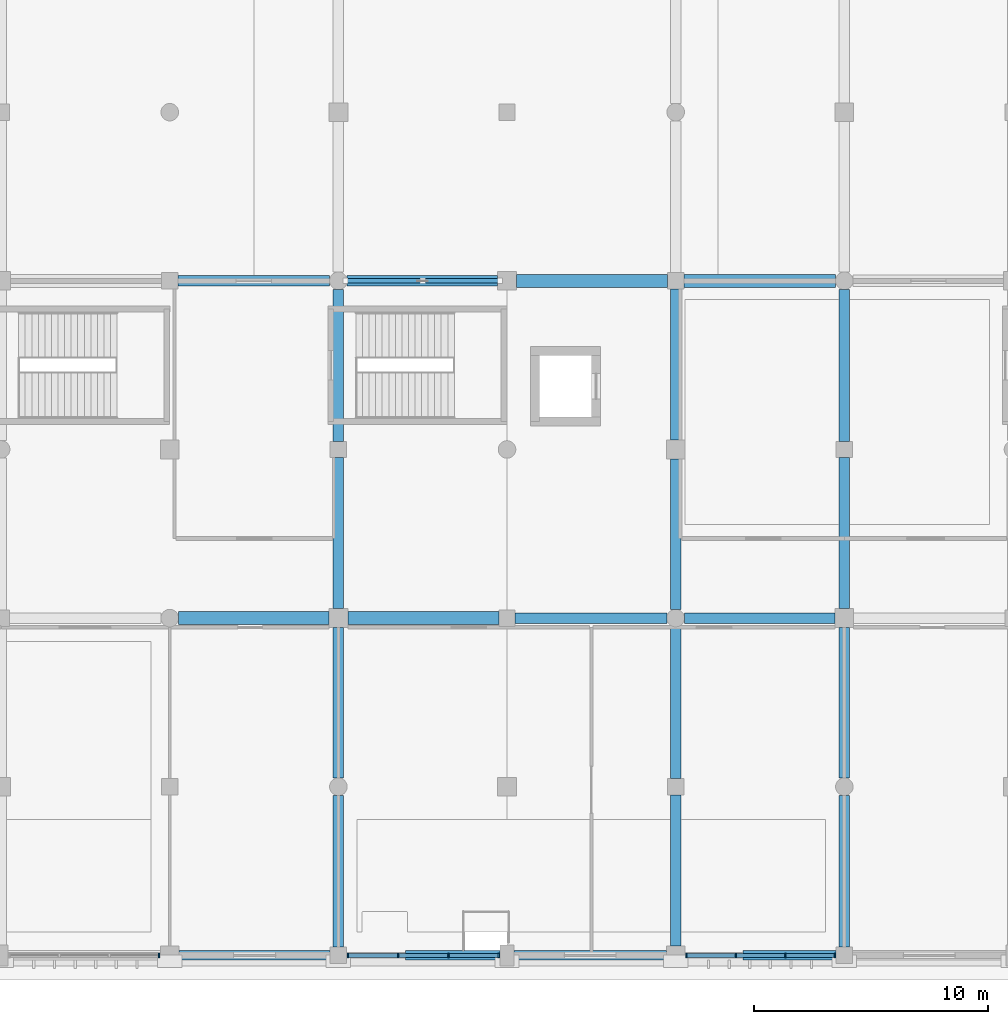
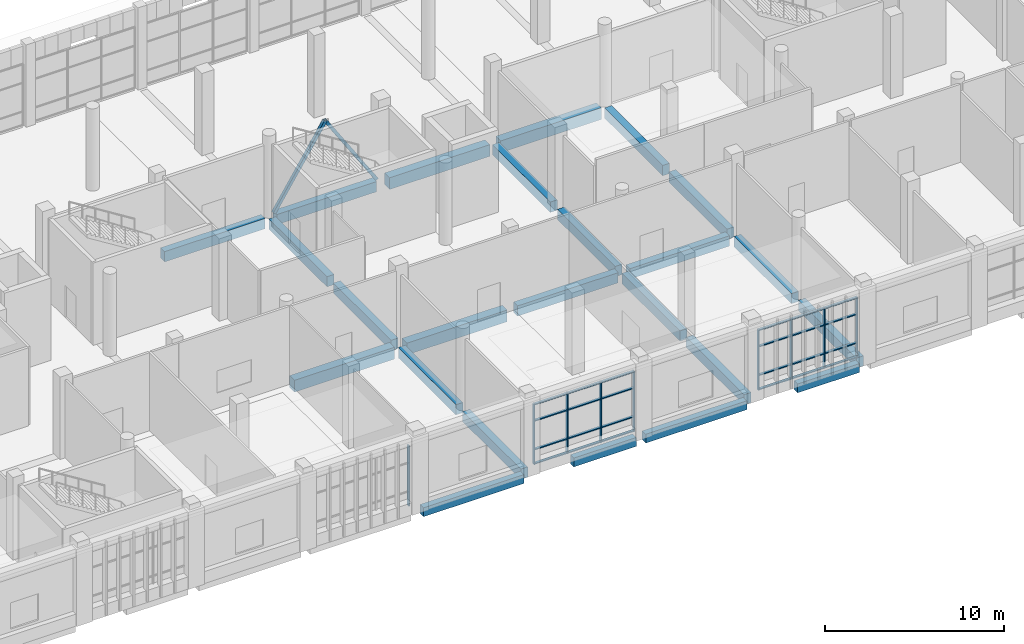
# One storey, part 15 of 80: 35 members, 24 beams, 3 elements without a shape of their own.
"""IFC4 building model written with IfcOpenShell, lengths in metres."""

from ifc_helpers import new_model, si_unit, direction, frame, origin, origin_2d, place, context, subcontext, project, spatial, rectangle, hollow_rectangle, extrude, material, material_profile, profile_set, type_object, element, aggregate, save


model = new_model("IFC4")

# Units and contexts
model_context = context("Model", 3, precision=1e-05, world=origin(), true_north=direction((0.0, 1.0)))
body_context = subcontext(model_context, "Body", "Model", "MODEL_VIEW")
ifc_project = project(units=[si_unit("LENGTHUNIT", "METRE"), si_unit("AREAUNIT", "SQUARE_METRE"), si_unit("VOLUMEUNIT", "CUBIC_METRE"), si_unit("PLANEANGLEUNIT", "RADIAN"), si_unit("MASSUNIT", "GRAM", prefix="KILO")], contexts=[model_context])

# Site, building, storey
site_placement = place(None, origin())
site = spatial("IfcSite", under=ifc_project, at=site_placement, CompositionType="ELEMENT")
building_placement = place(site_placement, origin())
building = spatial("IfcBuilding", under=site, at=building_placement, Name="Sardonyx Promenade Sports Hall", CompositionType="ELEMENT")
storey_placement = place(building_placement, frame((0.0, 0.0, 5.60009765625)))
storey = spatial("IfcBuildingStorey", under=building, at=storey_placement, Name="L01", CompositionType="ELEMENT", Elevation=5.60009765625)

# Beams
ifc_material_1 = material(Name="Concrete C40/50", Category="concrete")
ifc_material_profile_1 = material_profile(ifc_material_1, rectangle(XDim=0.550048828125, YDim=0.800048828125, at=origin_2d()))
ifc_profile_set_1 = profile_set([ifc_material_profile_1], Name="Concrete C40/50")
beam_type_1 = type_object("IfcBeamType", Name="Bm_Girder_RC800", PredefinedType="BEAM", material=ifc_profile_set_1)
beam_1_placement = place(storey_placement, frame((65.175048828125, 14.39990234375, -0.400146484375), z_axis=(1.0, 0.0, 0.0), x_axis=(0.0, 1.0, 0.0)))
element("IfcBeam", 1, at=beam_1_placement, inside=storey, type_object=beam_type_1, Name="Beam BG04 L01 #194", PredefinedType="BEAM", context=body_context, shape_type="SweptSolid", body=[
    extrude(rectangle(XDim=0.550048828125, YDim=0.800048828125, at=origin_2d()), origin(), (0.0, 0.0, 1.0), 6.425048828125),
])
beam_2_placement = place(storey_placement, frame((72.39990234375, 14.39990234375, -0.400146484375), z_axis=(1.0, 0.0, 0.0), x_axis=(0.0, 1.0, 0.0)))
element("IfcBeam", 2, at=beam_2_placement, inside=storey, type_object=beam_type_1, Name="Beam BG04 L01 #195", PredefinedType="BEAM", context=body_context, shape_type="SweptSolid", body=[
    extrude(rectangle(XDim=0.550048828125, YDim=0.800048828125, at=origin_2d()), origin(), (0.0, 0.0, 1.0), 6.4501953125),
])
beam_3_placement = place(storey_placement, frame((79.60009765625, 28.800048828125, -0.400146484375), z_axis=(1.0, 0.0, 0.0), x_axis=(0.0, 1.0, 0.0)))
element("IfcBeam", 3, at=beam_3_placement, inside=storey, type_object=beam_type_1, Name="Beam BG04 L01 #219", PredefinedType="BEAM", context=body_context, shape_type="SweptSolid", body=[
    extrude(rectangle(XDim=0.550048828125, YDim=0.800048828125, at=origin_2d()), origin(), (0.0, 0.0, 1.0), 6.449951171875),
])
beam_4_placement = place(storey_placement, frame((86.75, 28.800048828125, -0.400146484375), z_axis=(1.0, 0.0, 0.0), x_axis=(0.0, 1.0, 0.0)))
element("IfcBeam", 4, at=beam_4_placement, inside=storey, type_object=beam_type_1, Name="Beam BG04 L01 #220", PredefinedType="BEAM", context=body_context, shape_type="SweptSolid", body=[
    extrude(rectangle(XDim=0.550048828125, YDim=0.800048828125, at=origin_2d()), origin(), (0.0, 0.0, 1.0), 6.47509765625),
])
ifc_material_2 = material(Name="Concrete C40/50", Category="concrete")
ifc_material_profile_2 = material_profile(ifc_material_2, rectangle(XDim=0.449951171875, YDim=0.699951171875, at=origin_2d()))
ifc_profile_set_2 = profile_set([ifc_material_profile_2], Name="Concrete C40/50")
beam_type_2 = type_object("IfcBeamType", Name="Bm_Primary_RC700", PredefinedType="BEAM", material=ifc_profile_set_2)
beam_5_placement = place(storey_placement, frame((79.550048828125, 14.39990234375, -0.35009765625), z_axis=(1.0, 0.0, 0.0), x_axis=(0.0, 1.0, 0.0)))
element("IfcBeam", 5, at=beam_5_placement, inside=storey, type_object=beam_type_2, Name="Beam BG01 L01 #196", PredefinedType="BEAM", context=body_context, shape_type="SweptSolid", body=[
    extrude(rectangle(XDim=0.449951171875, YDim=0.699951171875, at=origin_2d()), origin(), (0.0, 0.0, 1.0), 6.474853515625),
])
beam_6_placement = place(storey_placement, frame((86.77490234375, 14.39990234375, -0.35009765625), z_axis=(1.0, 0.0, 0.0), x_axis=(0.0, 1.0, 0.0)))
element("IfcBeam", 6, at=beam_6_placement, inside=storey, type_object=beam_type_2, Name="Beam BG01 L01 #197", PredefinedType="BEAM", context=body_context, shape_type="SweptSolid", body=[
    extrude(rectangle(XDim=0.449951171875, YDim=0.699951171875, at=origin_2d()), origin(), (0.0, 0.0, 1.0), 6.425048828125),
])
beam_7_placement = place(storey_placement, frame((65.14990234375, 28.800048828125, -0.35009765625), z_axis=(1.0, 0.0, 0.0), x_axis=(0.0, 1.0, 0.0)))
element("IfcBeam", 7, at=beam_7_placement, inside=storey, type_object=beam_type_2, Name="Beam BG01 L01 #217", PredefinedType="BEAM", context=body_context, shape_type="SweptSolid", body=[
    extrude(rectangle(XDim=0.449951171875, YDim=0.699951171875, at=origin_2d()), origin(), (0.0, 0.0, 1.0), 6.47509765625),
])
beam_8_placement = place(storey_placement, frame((72.375, 28.800048828125, -0.35009765625), z_axis=(1.0, 0.0, 0.0), x_axis=(0.0, 1.0, 0.0)))
element("IfcBeam", 8, at=beam_8_placement, inside=storey, type_object=beam_type_2, Name="Beam BG01 L01 #218", PredefinedType="BEAM", context=body_context, shape_type="SweptSolid", body=[
    extrude(rectangle(XDim=0.449951171875, YDim=0.699951171875, at=origin_2d()), origin(), (0.0, 0.0, 1.0), 6.425048828125),
])
beam_9_placement = place(storey_placement, frame((72.0, 0.35009765625, -0.35009765625), z_axis=(0.0, 1.0, 0.0), x_axis=(-1.0, 0.0, 0.0)))
element("IfcBeam", 9, at=beam_9_placement, inside=storey, type_object=beam_type_2, Name="Beam BG01 L01 #339", PredefinedType="BEAM", context=body_context, shape_type="SweptSolid", body=[
    extrude(rectangle(XDim=0.449951171875, YDim=0.699951171875, at=origin_2d()), origin(), (0.0, 0.0, 1.0), 6.474853515625),
])
beam_10_placement = place(storey_placement, frame((72.0, 7.574951171875, -0.35009765625), z_axis=(0.0, 1.0, 0.0), x_axis=(-1.0, 0.0, 0.0)))
element("IfcBeam", 10, at=beam_10_placement, inside=storey, type_object=beam_type_2, Name="Beam BG01 L01 #340", PredefinedType="BEAM", context=body_context, shape_type="SweptSolid", body=[
    extrude(rectangle(XDim=0.449951171875, YDim=0.699951171875, at=origin_2d()), origin(), (0.0, 0.0, 1.0), 6.425048828125),
])
beam_11_placement = place(storey_placement, frame((72.0, 14.800048828125, -0.35009765625), z_axis=(0.0, 1.0, 0.0), x_axis=(-1.0, 0.0, 0.0)))
element("IfcBeam", 11, at=beam_11_placement, inside=storey, type_object=beam_type_2, Name="Beam BG01 L01 #341", PredefinedType="BEAM", context=body_context, shape_type="SweptSolid", body=[
    extrude(rectangle(XDim=0.449951171875, YDim=0.699951171875, at=origin_2d()), origin(), (0.0, 0.0, 1.0), 6.449951171875),
])
beam_12_placement = place(storey_placement, frame((72.0, 21.949951171875, -0.35009765625), z_axis=(0.0, 1.0, 0.0), x_axis=(-1.0, 0.0, 0.0)))
element("IfcBeam", 12, at=beam_12_placement, inside=storey, type_object=beam_type_2, Name="Beam BG01 L01 #342", PredefinedType="BEAM", context=body_context, shape_type="SweptSolid", body=[
    extrude(rectangle(XDim=0.449951171875, YDim=0.699951171875, at=origin_2d()), origin(), (0.0, 0.0, 1.0), 6.47509765625),
])
beam_13_placement = place(storey_placement, frame((86.39990234375, 0.39990234375, -0.35009765625), z_axis=(0.0, 1.0, 0.0), x_axis=(-1.0, 0.0, 0.0)))
element("IfcBeam", 13, at=beam_13_placement, inside=storey, type_object=beam_type_2, Name="Beam BG01 L01 #351", PredefinedType="BEAM", context=body_context, shape_type="SweptSolid", body=[
    extrude(rectangle(XDim=0.449951171875, YDim=0.699951171875, at=origin_2d()), origin(), (0.0, 0.0, 1.0), 6.4501953125),
])
beam_14_placement = place(storey_placement, frame((86.39990234375, 7.550048828125, -0.35009765625), z_axis=(0.0, 1.0, 0.0), x_axis=(-1.0, 0.0, 0.0)))
element("IfcBeam", 14, at=beam_14_placement, inside=storey, type_object=beam_type_2, Name="Beam BG01 L01 #352", PredefinedType="BEAM", context=body_context, shape_type="SweptSolid", body=[
    extrude(rectangle(XDim=0.449951171875, YDim=0.699951171875, at=origin_2d()), origin(), (0.0, 0.0, 1.0), 6.474853515625),
])
beam_15_placement = place(storey_placement, frame((86.39990234375, 14.77490234375, -0.35009765625), z_axis=(0.0, 1.0, 0.0), x_axis=(-1.0, 0.0, 0.0)))
element("IfcBeam", 15, at=beam_15_placement, inside=storey, type_object=beam_type_2, Name="Beam BG01 L01 #353", PredefinedType="BEAM", context=body_context, shape_type="SweptSolid", body=[
    extrude(rectangle(XDim=0.449951171875, YDim=0.699951171875, at=origin_2d()), origin(), (0.0, 0.0, 1.0), 6.425048828125),
])
beam_16_placement = place(storey_placement, frame((86.39990234375, 22.0, -0.35009765625), z_axis=(0.0, 1.0, 0.0), x_axis=(-1.0, 0.0, 0.0)))
element("IfcBeam", 16, at=beam_16_placement, inside=storey, type_object=beam_type_2, Name="Beam BG01 L01 #354", PredefinedType="BEAM", context=body_context, shape_type="SweptSolid", body=[
    extrude(rectangle(XDim=0.449951171875, YDim=0.699951171875, at=origin_2d()), origin(), (0.0, 0.0, 1.0), 6.449951171875),
])
beam_17_placement = place(storey_placement, frame((93.60009765625, 0.35009765625, -0.35009765625), z_axis=(0.0, 1.0, 0.0), x_axis=(-1.0, 0.0, 0.0)))
element("IfcBeam", 17, at=beam_17_placement, inside=storey, type_object=beam_type_2, Name="Beam BG01 L01 #358", PredefinedType="BEAM", context=body_context, shape_type="SweptSolid", body=[
    extrude(rectangle(XDim=0.449951171875, YDim=0.699951171875, at=origin_2d()), origin(), (0.0, 0.0, 1.0), 6.474853515625),
])
beam_18_placement = place(storey_placement, frame((93.60009765625, 7.574951171875, -0.35009765625), z_axis=(0.0, 1.0, 0.0), x_axis=(-1.0, 0.0, 0.0)))
element("IfcBeam", 18, at=beam_18_placement, inside=storey, type_object=beam_type_2, Name="Beam BG01 L01 #359", PredefinedType="BEAM", context=body_context, shape_type="SweptSolid", body=[
    extrude(rectangle(XDim=0.449951171875, YDim=0.699951171875, at=origin_2d()), origin(), (0.0, 0.0, 1.0), 6.425048828125),
])
beam_19_placement = place(storey_placement, frame((93.60009765625, 14.800048828125, -0.35009765625), z_axis=(0.0, 1.0, 0.0), x_axis=(-1.0, 0.0, 0.0)))
element("IfcBeam", 19, at=beam_19_placement, inside=storey, type_object=beam_type_2, Name="Beam BG01 L01 #360", PredefinedType="BEAM", context=body_context, shape_type="SweptSolid", body=[
    extrude(rectangle(XDim=0.449951171875, YDim=0.699951171875, at=origin_2d()), origin(), (0.0, 0.0, 1.0), 6.449951171875),
])
beam_20_placement = place(storey_placement, frame((93.60009765625, 21.949951171875, -0.35009765625), z_axis=(0.0, 1.0, 0.0), x_axis=(-1.0, 0.0, 0.0)))
element("IfcBeam", 20, at=beam_20_placement, inside=storey, type_object=beam_type_2, Name="Beam BG01 L01 #361", PredefinedType="BEAM", context=body_context, shape_type="SweptSolid", body=[
    extrude(rectangle(XDim=0.449951171875, YDim=0.699951171875, at=origin_2d()), origin(), (0.0, 0.0, 1.0), 6.47509765625),
])
ifc_material_3 = material(Name="Concrete C40/50", Category="concrete")
ifc_material_profile_3 = material_profile(ifc_material_3, rectangle(XDim=0.39990234375, YDim=0.60009765625, at=origin_2d()))
ifc_profile_set_3 = profile_set([ifc_material_profile_3], Name="Concrete C40/50")
beam_type_3 = type_object("IfcBeamType", Name="Bm_Spandrel_RC600", PredefinedType="SPANDREL", material=ifc_profile_set_3)
beam_21_placement = place(storey_placement, frame((65.199951171875, 0.0, -0.300048828125), z_axis=(1.0, 0.0, 0.0), x_axis=(0.0, 1.0, 0.0)))
element("IfcBeam", 21, at=beam_21_placement, inside=storey, type_object=beam_type_3, Name="Beam SPB1 L01 #171", PredefinedType="SPANDREL", context=body_context, shape_type="SweptSolid", body=[
    extrude(rectangle(XDim=0.39990234375, YDim=0.60009765625, at=origin_2d()), origin(), (0.0, 0.0, 1.0), 6.449951171875),
])
beam_22_placement = place(storey_placement, frame((74.875, 0.0, -0.300048828125), z_axis=(1.0, 0.0, 0.0), x_axis=(0.0, 1.0, 0.0)))
element("IfcBeam", 22, at=beam_22_placement, inside=storey, type_object=beam_type_3, Name="Beam SPB1 L01 #172", PredefinedType="SPANDREL", context=body_context, shape_type="SweptSolid", body=[
    extrude(rectangle(XDim=0.39990234375, YDim=0.60009765625, at=origin_2d()), origin(), (0.0, 0.0, 1.0), 4.02490234375),
])
beam_23_placement = place(storey_placement, frame((79.5, 0.0, -0.300048828125), z_axis=(1.0, 0.0, 0.0), x_axis=(0.0, 1.0, 0.0)))
element("IfcBeam", 23, at=beam_23_placement, inside=storey, type_object=beam_type_3, Name="Beam SPB1 L01 #173", PredefinedType="SPANDREL", context=body_context, shape_type="SweptSolid", body=[
    extrude(rectangle(XDim=0.39990234375, YDim=0.60009765625, at=origin_2d()), origin(), (0.0, 0.0, 1.0), 6.5),
])
beam_24_placement = place(storey_placement, frame((89.27490234375, 0.0, -0.300048828125), z_axis=(1.0, 0.0, 0.0), x_axis=(0.0, 1.0, 0.0)))
element("IfcBeam", 24, at=beam_24_placement, inside=storey, type_object=beam_type_3, Name="Beam SPB1 L01 #174", PredefinedType="SPANDREL", context=body_context, shape_type="SweptSolid", body=[
    extrude(rectangle(XDim=0.39990234375, YDim=0.60009765625, at=origin_2d()), origin(), (0.0, 0.0, 1.0), 3.97509765625),
])

# Curtain wall, members
ifc_material_4 = material(Name="Aluminium 6063-T6", Category="aluminium")
curtain_wall_type = type_object("IfcCurtainWallType", Name="CW_South_L01_640", PredefinedType="USERDEFINED", material=ifc_material_4)
curtain_wall_1_placement = place(storey_placement, origin())
curtain_wall_1 = element("IfcCurtainWall", 25, at=curtain_wall_1_placement, inside=storey, type_object=curtain_wall_type, Name="Curtain wall CW08 cw:L01:022", ObjectType="CURTAIN WALL", PredefinedType="USERDEFINED")
ifc_material_5 = material(Name="Aluminium 6063-T6", Category="aluminium")
ifc_material_profile_4 = material_profile(ifc_material_5, rectangle(XDim=0.070068359375, YDim=0.199951171875, at=origin_2d()))
ifc_profile_set_4 = profile_set([ifc_material_profile_4], Name="Aluminium 6063-T6")
member_type_1 = type_object("IfcMemberType", Name="CW_Mull_200", PredefinedType="MULLION", material=ifc_profile_set_4)
member_1_placement = place(storey_placement, frame((93.195068359375, 0.0, 0.349853515625), z_axis=(0.0, 0.0, 1.0), x_axis=(-1.0, 0.0, 0.0)))
member_1 = element("IfcMember", 26, at=member_1_placement, type_object=member_type_1, Name="Mullion CM03 cw:L01:022 #1", PredefinedType="MULLION", context=body_context, shape_type="SweptSolid", body=[
    extrude(rectangle(XDim=0.070068359375, YDim=0.199951171875, at=origin_2d()), origin(), (0.0, 0.0, 1.0), 4.10009765625),
])
member_2_placement = place(storey_placement, frame((91.081787109375, 0.0, 0.349853515625), z_axis=(0.0, 0.0, 1.0), x_axis=(-1.0, 0.0, 0.0)))
member_2 = element("IfcMember", 27, at=member_2_placement, type_object=member_type_1, Name="Mullion CM03 cw:L01:022 #2", PredefinedType="MULLION", context=body_context, shape_type="SweptSolid", body=[
    extrude(rectangle(XDim=0.070068359375, YDim=0.199951171875, at=origin_2d()), origin(), (0.0, 0.0, 1.0), 4.10009765625),
])
member_3_placement = place(storey_placement, frame((88.96826171875, 0.0, 0.349853515625), z_axis=(0.0, 0.0, 1.0), x_axis=(-1.0, 0.0, 0.0)))
member_3 = element("IfcMember", 28, at=member_3_placement, type_object=member_type_1, Name="Mullion CM03 cw:L01:022 #3", PredefinedType="MULLION", context=body_context, shape_type="SweptSolid", body=[
    extrude(rectangle(XDim=0.070068359375, YDim=0.199951171875, at=origin_2d()), origin(), (0.0, 0.0, 1.0), 4.10009765625),
])
member_4_placement = place(storey_placement, frame((86.85498046875, 0.0, 0.349853515625), z_axis=(0.0, 0.0, 1.0), x_axis=(-1.0, 0.0, 0.0)))
member_4 = element("IfcMember", 29, at=member_4_placement, type_object=member_type_1, Name="Mullion CM03 cw:L01:022 #4", PredefinedType="MULLION", context=body_context, shape_type="SweptSolid", body=[
    extrude(rectangle(XDim=0.070068359375, YDim=0.199951171875, at=origin_2d()), origin(), (0.0, 0.0, 1.0), 4.10009765625),
])

curtain_wall_2_placement = place(storey_placement, origin())
curtain_wall_2 = element("IfcCurtainWall", 30, at=curtain_wall_2_placement, inside=storey, type_object=curtain_wall_type, Name="Curtain wall CW08 cw:L01:023", ObjectType="CURTAIN WALL", PredefinedType="USERDEFINED")
member_5_placement = place(storey_placement, frame((78.844970703125, 0.0, 0.349853515625), z_axis=(0.0, 0.0, 1.0), x_axis=(-1.0, 0.0, 0.0)))
member_5 = element("IfcMember", 31, at=member_5_placement, type_object=member_type_1, Name="Mullion CM03 cw:L01:023 #1", PredefinedType="MULLION", context=body_context, shape_type="SweptSolid", body=[
    extrude(rectangle(XDim=0.070068359375, YDim=0.199951171875, at=origin_2d()), origin(), (0.0, 0.0, 1.0), 4.10009765625),
])
member_6_placement = place(storey_placement, frame((76.6982421875, 0.0, 0.349853515625), z_axis=(0.0, 0.0, 1.0), x_axis=(-1.0, 0.0, 0.0)))
member_6 = element("IfcMember", 32, at=member_6_placement, type_object=member_type_1, Name="Mullion CM03 cw:L01:023 #2", PredefinedType="MULLION", context=body_context, shape_type="SweptSolid", body=[
    extrude(rectangle(XDim=0.070068359375, YDim=0.199951171875, at=origin_2d()), origin(), (0.0, 0.0, 1.0), 4.10009765625),
])
member_7_placement = place(storey_placement, frame((74.5517578125, 0.0, 0.349853515625), z_axis=(0.0, 0.0, 1.0), x_axis=(-1.0, 0.0, 0.0)))
member_7 = element("IfcMember", 33, at=member_7_placement, type_object=member_type_1, Name="Mullion CM03 cw:L01:023 #3", PredefinedType="MULLION", context=body_context, shape_type="SweptSolid", body=[
    extrude(rectangle(XDim=0.070068359375, YDim=0.199951171875, at=origin_2d()), origin(), (0.0, 0.0, 1.0), 4.10009765625),
])
member_8_placement = place(storey_placement, frame((72.405029296875, 0.0, 0.349853515625), z_axis=(0.0, 0.0, 1.0), x_axis=(-1.0, 0.0, 0.0)))
member_8 = element("IfcMember", 34, at=member_8_placement, type_object=member_type_1, Name="Mullion CM03 cw:L01:023 #4", PredefinedType="MULLION", context=body_context, shape_type="SweptSolid", body=[
    extrude(rectangle(XDim=0.070068359375, YDim=0.199951171875, at=origin_2d()), origin(), (0.0, 0.0, 1.0), 4.10009765625),
])

# Curtain wall, member
curtain_wall_3_placement = place(storey_placement, origin())
curtain_wall_3 = element("IfcCurtainWall", 35, at=curtain_wall_3_placement, inside=storey, type_object=curtain_wall_type, Name="Curtain wall CW08 cw:L01:024", ObjectType="CURTAIN WALL", PredefinedType="USERDEFINED")
member_9_placement = place(storey_placement, frame((64.344970703125, 0.0, 0.349853515625), z_axis=(0.0, 0.0, 1.0), x_axis=(-1.0, 0.0, 0.0)))
member_9 = element("IfcMember", 36, at=member_9_placement, type_object=member_type_1, Name="Mullion CM03 cw:L01:024 #1", PredefinedType="MULLION", context=body_context, shape_type="SweptSolid", body=[
    extrude(rectangle(XDim=0.070068359375, YDim=0.199951171875, at=origin_2d()), origin(), (0.0, 0.0, 1.0), 4.10009765625),
])
aggregate(curtain_wall_3, [member_9])

# Member
ifc_material_6 = material(Name="Aluminium 6063-T6", Category="aluminium")
ifc_material_profile_5 = material_profile(ifc_material_6, rectangle(XDim=0.070068359375, YDim=0.159912109375, at=origin_2d()))
ifc_profile_set_5 = profile_set([ifc_material_profile_5], Name="Aluminium 6063-T6")
member_type_2 = type_object("IfcMemberType", Name="CW_Tran_160", PredefinedType="USERDEFINED", material=ifc_profile_set_5)
member_10_placement = place(storey_placement, frame((93.159912109375, 0.0, 0.385009765625), z_axis=(-1.0, 0.0, 0.0), x_axis=(0.0, 0.0, 1.0)))
member_10 = element("IfcMember", 37, at=member_10_placement, type_object=member_type_2, Name="Transom CT03 cw:L01:022 #1", ObjectType="TRANSOM", PredefinedType="USERDEFINED", context=body_context, shape_type="SweptSolid", body=[
    extrude(rectangle(XDim=0.070068359375, YDim=0.159912109375, at=origin_2d()), origin(), (0.0, 0.0, 1.0), 2.043212890625),
])

member_11_placement = place(storey_placement, frame((93.159912109375, 0.0, 1.349853515625), z_axis=(-1.0, 0.0, 0.0), x_axis=(0.0, 0.0, 1.0)))
member_11 = element("IfcMember", 38, at=member_11_placement, type_object=member_type_2, Name="Transom CT03 cw:L01:022 #2", ObjectType="TRANSOM", PredefinedType="USERDEFINED", context=body_context, shape_type="SweptSolid", body=[
    extrude(rectangle(XDim=0.070068359375, YDim=0.159912109375, at=origin_2d()), origin(), (0.0, 0.0, 1.0), 2.043212890625),
])

member_12_placement = place(storey_placement, frame((93.159912109375, 0.0, 3.2998046875), z_axis=(-1.0, 0.0, 0.0), x_axis=(0.0, 0.0, 1.0)))
member_12 = element("IfcMember", 39, at=member_12_placement, type_object=member_type_2, Name="Transom CT03 cw:L01:022 #3", ObjectType="TRANSOM", PredefinedType="USERDEFINED", context=body_context, shape_type="SweptSolid", body=[
    extrude(rectangle(XDim=0.070068359375, YDim=0.159912109375, at=origin_2d()), origin(), (0.0, 0.0, 1.0), 2.043212890625),
])

member_13_placement = place(storey_placement, frame((93.159912109375, 0.0, 4.414794921875), z_axis=(-1.0, 0.0, 0.0), x_axis=(0.0, 0.0, 1.0)))
member_13 = element("IfcMember", 40, at=member_13_placement, type_object=member_type_2, Name="Transom CT03 cw:L01:022 #4", ObjectType="TRANSOM", PredefinedType="USERDEFINED", context=body_context, shape_type="SweptSolid", body=[
    extrude(rectangle(XDim=0.070068359375, YDim=0.159912109375, at=origin_2d()), origin(), (0.0, 0.0, 1.0), 2.043212890625),
])

member_14_placement = place(storey_placement, frame((91.046630859375, 0.0, 0.385009765625), z_axis=(-1.0, 0.0, 0.0), x_axis=(0.0, 0.0, 1.0)))
member_14 = element("IfcMember", 41, at=member_14_placement, type_object=member_type_2, Name="Transom CT03 cw:L01:022 #5", ObjectType="TRANSOM", PredefinedType="USERDEFINED", context=body_context, shape_type="SweptSolid", body=[
    extrude(rectangle(XDim=0.070068359375, YDim=0.159912109375, at=origin_2d()), origin(), (0.0, 0.0, 1.0), 2.043212890625),
])

member_15_placement = place(storey_placement, frame((91.046630859375, 0.0, 1.349853515625), z_axis=(-1.0, 0.0, 0.0), x_axis=(0.0, 0.0, 1.0)))
member_15 = element("IfcMember", 42, at=member_15_placement, type_object=member_type_2, Name="Transom CT03 cw:L01:022 #6", ObjectType="TRANSOM", PredefinedType="USERDEFINED", context=body_context, shape_type="SweptSolid", body=[
    extrude(rectangle(XDim=0.070068359375, YDim=0.159912109375, at=origin_2d()), origin(), (0.0, 0.0, 1.0), 2.043212890625),
])

member_16_placement = place(storey_placement, frame((91.046630859375, 0.0, 3.2998046875), z_axis=(-1.0, 0.0, 0.0), x_axis=(0.0, 0.0, 1.0)))
member_16 = element("IfcMember", 43, at=member_16_placement, type_object=member_type_2, Name="Transom CT03 cw:L01:022 #7", ObjectType="TRANSOM", PredefinedType="USERDEFINED", context=body_context, shape_type="SweptSolid", body=[
    extrude(rectangle(XDim=0.070068359375, YDim=0.159912109375, at=origin_2d()), origin(), (0.0, 0.0, 1.0), 2.043212890625),
])

member_17_placement = place(storey_placement, frame((91.046630859375, 0.0, 4.414794921875), z_axis=(-1.0, 0.0, 0.0), x_axis=(0.0, 0.0, 1.0)))
member_17 = element("IfcMember", 44, at=member_17_placement, type_object=member_type_2, Name="Transom CT03 cw:L01:022 #8", ObjectType="TRANSOM", PredefinedType="USERDEFINED", context=body_context, shape_type="SweptSolid", body=[
    extrude(rectangle(XDim=0.070068359375, YDim=0.159912109375, at=origin_2d()), origin(), (0.0, 0.0, 1.0), 2.043212890625),
])

member_18_placement = place(storey_placement, frame((88.933349609375, 0.0, 0.385009765625), z_axis=(-1.0, 0.0, 0.0), x_axis=(0.0, 0.0, 1.0)))
member_18 = element("IfcMember", 45, at=member_18_placement, type_object=member_type_2, Name="Transom CT03 cw:L01:022 #9", ObjectType="TRANSOM", PredefinedType="USERDEFINED", context=body_context, shape_type="SweptSolid", body=[
    extrude(rectangle(XDim=0.070068359375, YDim=0.159912109375, at=origin_2d()), origin(), (0.0, 0.0, 1.0), 2.04345703125),
])

member_19_placement = place(storey_placement, frame((88.933349609375, 0.0, 1.349853515625), z_axis=(-1.0, 0.0, 0.0), x_axis=(0.0, 0.0, 1.0)))
member_19 = element("IfcMember", 46, at=member_19_placement, type_object=member_type_2, Name="Transom CT03 cw:L01:022 #10", ObjectType="TRANSOM", PredefinedType="USERDEFINED", context=body_context, shape_type="SweptSolid", body=[
    extrude(rectangle(XDim=0.070068359375, YDim=0.159912109375, at=origin_2d()), origin(), (0.0, 0.0, 1.0), 2.04345703125),
])

member_20_placement = place(storey_placement, frame((88.933349609375, 0.0, 3.2998046875), z_axis=(-1.0, 0.0, 0.0), x_axis=(0.0, 0.0, 1.0)))
member_20 = element("IfcMember", 47, at=member_20_placement, type_object=member_type_2, Name="Transom CT03 cw:L01:022 #11", ObjectType="TRANSOM", PredefinedType="USERDEFINED", context=body_context, shape_type="SweptSolid", body=[
    extrude(rectangle(XDim=0.070068359375, YDim=0.159912109375, at=origin_2d()), origin(), (0.0, 0.0, 1.0), 2.04345703125),
])

member_21_placement = place(storey_placement, frame((88.933349609375, 0.0, 4.414794921875), z_axis=(-1.0, 0.0, 0.0), x_axis=(0.0, 0.0, 1.0)))
member_21 = element("IfcMember", 48, at=member_21_placement, type_object=member_type_2, Name="Transom CT03 cw:L01:022 #12", ObjectType="TRANSOM", PredefinedType="USERDEFINED", context=body_context, shape_type="SweptSolid", body=[
    extrude(rectangle(XDim=0.070068359375, YDim=0.159912109375, at=origin_2d()), origin(), (0.0, 0.0, 1.0), 2.04345703125),
])

aggregate(curtain_wall_1, [member_1, member_2, member_3, member_4, member_10, member_11, member_12, member_13, member_14, member_15, member_16, member_17, member_18, member_19, member_20, member_21])

member_22_placement = place(storey_placement, frame((78.81005859375, 0.0, 0.385009765625), z_axis=(-1.0, 0.0, 0.0), x_axis=(0.0, 0.0, 1.0)))
member_22 = element("IfcMember", 49, at=member_22_placement, type_object=member_type_2, Name="Transom CT03 cw:L01:023 #1", ObjectType="TRANSOM", PredefinedType="USERDEFINED", context=body_context, shape_type="SweptSolid", body=[
    extrude(rectangle(XDim=0.070068359375, YDim=0.159912109375, at=origin_2d()), origin(), (0.0, 0.0, 1.0), 2.07666015625),
])

member_23_placement = place(storey_placement, frame((78.81005859375, 0.0, 1.349853515625), z_axis=(-1.0, 0.0, 0.0), x_axis=(0.0, 0.0, 1.0)))
member_23 = element("IfcMember", 50, at=member_23_placement, type_object=member_type_2, Name="Transom CT03 cw:L01:023 #2", ObjectType="TRANSOM", PredefinedType="USERDEFINED", context=body_context, shape_type="SweptSolid", body=[
    extrude(rectangle(XDim=0.070068359375, YDim=0.159912109375, at=origin_2d()), origin(), (0.0, 0.0, 1.0), 2.07666015625),
])

member_24_placement = place(storey_placement, frame((78.81005859375, 0.0, 3.2998046875), z_axis=(-1.0, 0.0, 0.0), x_axis=(0.0, 0.0, 1.0)))
member_24 = element("IfcMember", 51, at=member_24_placement, type_object=member_type_2, Name="Transom CT03 cw:L01:023 #3", ObjectType="TRANSOM", PredefinedType="USERDEFINED", context=body_context, shape_type="SweptSolid", body=[
    extrude(rectangle(XDim=0.070068359375, YDim=0.159912109375, at=origin_2d()), origin(), (0.0, 0.0, 1.0), 2.07666015625),
])

member_25_placement = place(storey_placement, frame((78.81005859375, 0.0, 4.414794921875), z_axis=(-1.0, 0.0, 0.0), x_axis=(0.0, 0.0, 1.0)))
member_25 = element("IfcMember", 52, at=member_25_placement, type_object=member_type_2, Name="Transom CT03 cw:L01:023 #4", ObjectType="TRANSOM", PredefinedType="USERDEFINED", context=body_context, shape_type="SweptSolid", body=[
    extrude(rectangle(XDim=0.070068359375, YDim=0.159912109375, at=origin_2d()), origin(), (0.0, 0.0, 1.0), 2.07666015625),
])

member_26_placement = place(storey_placement, frame((76.663330078125, 0.0, 0.385009765625), z_axis=(-1.0, 0.0, 0.0), x_axis=(0.0, 0.0, 1.0)))
member_26 = element("IfcMember", 53, at=member_26_placement, type_object=member_type_2, Name="Transom CT03 cw:L01:023 #5", ObjectType="TRANSOM", PredefinedType="USERDEFINED", context=body_context, shape_type="SweptSolid", body=[
    extrude(rectangle(XDim=0.070068359375, YDim=0.159912109375, at=origin_2d()), origin(), (0.0, 0.0, 1.0), 2.07666015625),
])

member_27_placement = place(storey_placement, frame((76.663330078125, 0.0, 1.349853515625), z_axis=(-1.0, 0.0, 0.0), x_axis=(0.0, 0.0, 1.0)))
member_27 = element("IfcMember", 54, at=member_27_placement, type_object=member_type_2, Name="Transom CT03 cw:L01:023 #6", ObjectType="TRANSOM", PredefinedType="USERDEFINED", context=body_context, shape_type="SweptSolid", body=[
    extrude(rectangle(XDim=0.070068359375, YDim=0.159912109375, at=origin_2d()), origin(), (0.0, 0.0, 1.0), 2.07666015625),
])

member_28_placement = place(storey_placement, frame((76.663330078125, 0.0, 3.2998046875), z_axis=(-1.0, 0.0, 0.0), x_axis=(0.0, 0.0, 1.0)))
member_28 = element("IfcMember", 55, at=member_28_placement, type_object=member_type_2, Name="Transom CT03 cw:L01:023 #7", ObjectType="TRANSOM", PredefinedType="USERDEFINED", context=body_context, shape_type="SweptSolid", body=[
    extrude(rectangle(XDim=0.070068359375, YDim=0.159912109375, at=origin_2d()), origin(), (0.0, 0.0, 1.0), 2.07666015625),
])

member_29_placement = place(storey_placement, frame((76.663330078125, 0.0, 4.414794921875), z_axis=(-1.0, 0.0, 0.0), x_axis=(0.0, 0.0, 1.0)))
member_29 = element("IfcMember", 56, at=member_29_placement, type_object=member_type_2, Name="Transom CT03 cw:L01:023 #8", ObjectType="TRANSOM", PredefinedType="USERDEFINED", context=body_context, shape_type="SweptSolid", body=[
    extrude(rectangle(XDim=0.070068359375, YDim=0.159912109375, at=origin_2d()), origin(), (0.0, 0.0, 1.0), 2.07666015625),
])

member_30_placement = place(storey_placement, frame((74.5166015625, 0.0, 0.385009765625), z_axis=(-1.0, 0.0, 0.0), x_axis=(0.0, 0.0, 1.0)))
member_30 = element("IfcMember", 57, at=member_30_placement, type_object=member_type_2, Name="Transom CT03 cw:L01:023 #9", ObjectType="TRANSOM", PredefinedType="USERDEFINED", context=body_context, shape_type="SweptSolid", body=[
    extrude(rectangle(XDim=0.070068359375, YDim=0.159912109375, at=origin_2d()), origin(), (0.0, 0.0, 1.0), 2.07666015625),
])

member_31_placement = place(storey_placement, frame((74.5166015625, 0.0, 1.349853515625), z_axis=(-1.0, 0.0, 0.0), x_axis=(0.0, 0.0, 1.0)))
member_31 = element("IfcMember", 58, at=member_31_placement, type_object=member_type_2, Name="Transom CT03 cw:L01:023 #10", ObjectType="TRANSOM", PredefinedType="USERDEFINED", context=body_context, shape_type="SweptSolid", body=[
    extrude(rectangle(XDim=0.070068359375, YDim=0.159912109375, at=origin_2d()), origin(), (0.0, 0.0, 1.0), 2.07666015625),
])

member_32_placement = place(storey_placement, frame((74.5166015625, 0.0, 3.2998046875), z_axis=(-1.0, 0.0, 0.0), x_axis=(0.0, 0.0, 1.0)))
member_32 = element("IfcMember", 59, at=member_32_placement, type_object=member_type_2, Name="Transom CT03 cw:L01:023 #11", ObjectType="TRANSOM", PredefinedType="USERDEFINED", context=body_context, shape_type="SweptSolid", body=[
    extrude(rectangle(XDim=0.070068359375, YDim=0.159912109375, at=origin_2d()), origin(), (0.0, 0.0, 1.0), 2.07666015625),
])

member_33_placement = place(storey_placement, frame((74.5166015625, 0.0, 4.414794921875), z_axis=(-1.0, 0.0, 0.0), x_axis=(0.0, 0.0, 1.0)))
member_33 = element("IfcMember", 60, at=member_33_placement, type_object=member_type_2, Name="Transom CT03 cw:L01:023 #12", ObjectType="TRANSOM", PredefinedType="USERDEFINED", context=body_context, shape_type="SweptSolid", body=[
    extrude(rectangle(XDim=0.070068359375, YDim=0.159912109375, at=origin_2d()), origin(), (0.0, 0.0, 1.0), 2.07666015625),
])

aggregate(curtain_wall_2, [member_5, member_6, member_7, member_8, member_22, member_23, member_24, member_25, member_26, member_27, member_28, member_29, member_30, member_31, member_32, member_33])

# Members
ifc_material_7 = material(Name="Steel S355JR", Category="steel")
ifc_material_profile_6 = material_profile(ifc_material_7, hollow_rectangle(XDim=0.199951171875, YDim=0.199951171875, WallThickness=0.010009765625, at=origin_2d()))
ifc_profile_set_6 = profile_set([ifc_material_profile_6], Name="Steel S355JR")
member_type_3 = type_object("IfcMemberType", Name="Mbr_Brace_SHS200_Int", PredefinedType="BRACE", material=ifc_profile_set_6)
for number, where, z_axis, x_axis, name in (
    (61, (72.300048828125, 28.800048828125, 0.02001953125), (0.541020546305, 0.0, 0.841009374785), (0.0, 1.0, 0.0), "Chevron brace BR04 BF6 L01 leg 1"),
    (62, (78.89990234375, 28.800048828125, 0.02001953125), (-0.540992235695, 0.0, 0.8410275863), (0.0, -1.0, 0.0), "Chevron brace BR04 BF6 L01 leg 2"),
):
    element("IfcMember", number, at=place(storey_placement, frame(where, z_axis=z_axis, x_axis=x_axis)), inside=storey, type_object=member_type_3, Name=name, PredefinedType="BRACE", context=body_context, shape_type="SweptSolid", body=[
        extrude(hollow_rectangle(XDim=0.199951171875, YDim=0.199951171875, WallThickness=0.010009765625, at=origin_2d()), origin(), (0.0, 0.0, 1.0), 6.099609375),
    ])

save(model, "model.ifc")
